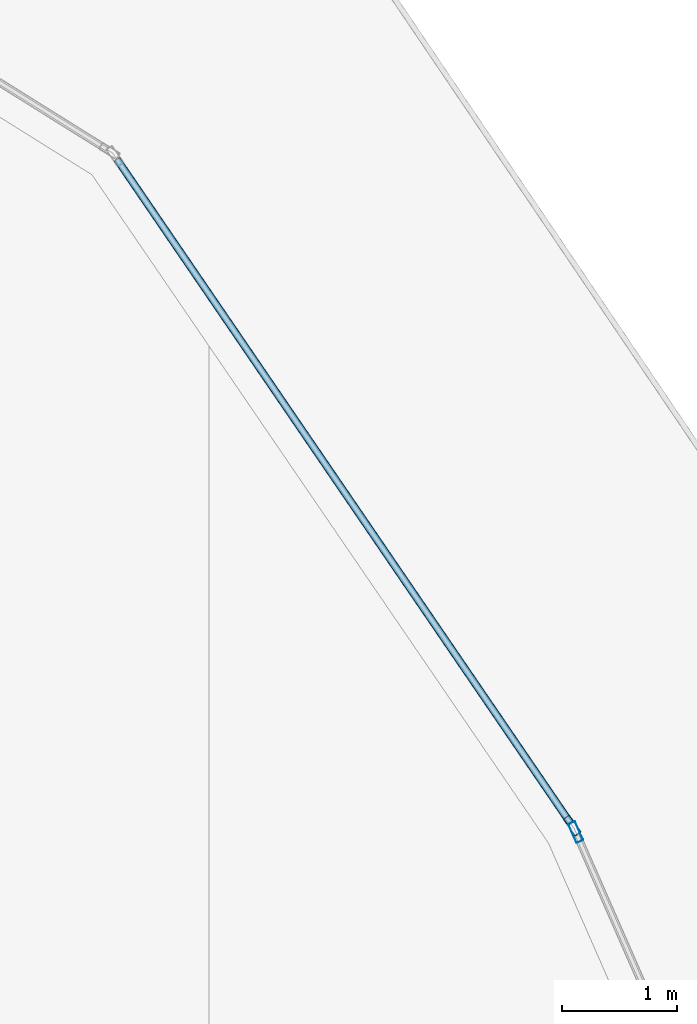
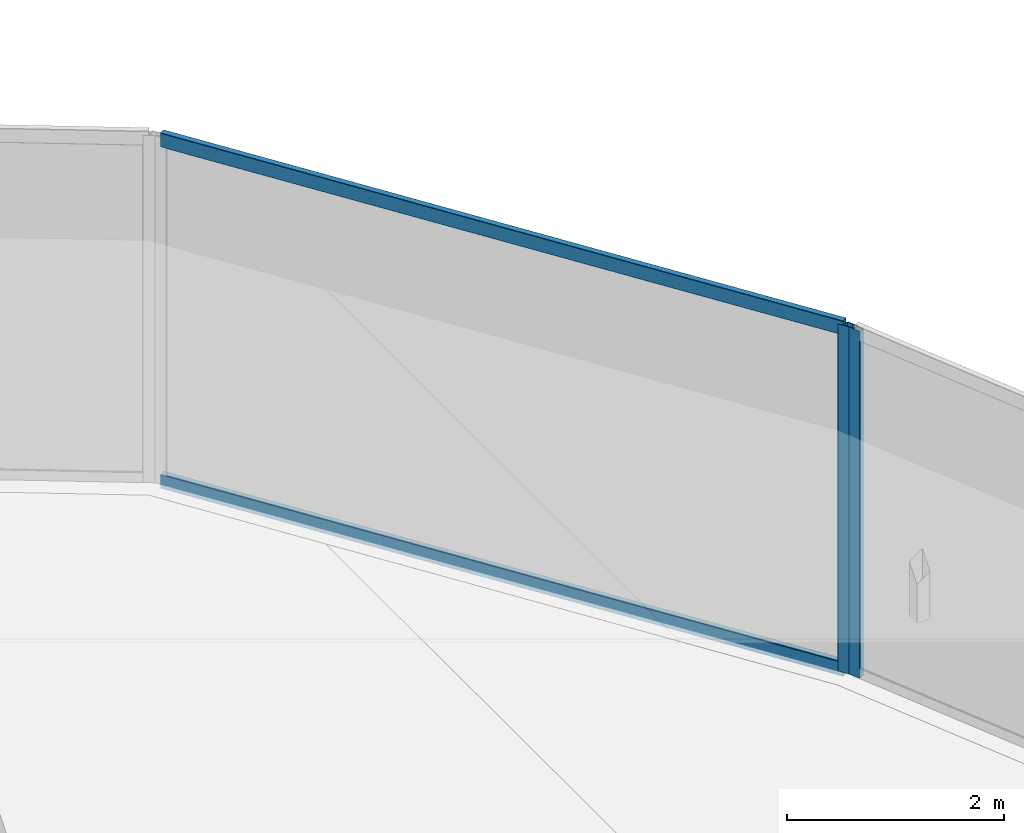
# One storey, part 24 of 45: 4 members, 2 elements without a shape of their own.
"""IFC4 building model written with IfcOpenShell, lengths in metres."""

from ifc_helpers import new_model, si_unit, direction, frame, origin, origin_2d, place, context, subcontext, project, spatial, hollow_rectangle, extrude, material, layer, layer_set, material_profile, profile_set, type_object, element, aggregate, save


model = new_model("IFC4")

# Units and contexts
model_context = context("Model", 3, precision=1e-05, world=origin(), true_north=direction((0.0, 1.0)))
body_context = subcontext(model_context, "Body", "Model", "MODEL_VIEW")
ifc_project = project(units=[si_unit("LENGTHUNIT", "METRE"), si_unit("AREAUNIT", "SQUARE_METRE"), si_unit("VOLUMEUNIT", "CUBIC_METRE"), si_unit("PLANEANGLEUNIT", "RADIAN"), si_unit("MASSUNIT", "GRAM", prefix="KILO")], contexts=[model_context])

# Site, building, storey
site_placement = place(None, origin())
site = spatial("IfcSite", under=ifc_project, at=site_placement, CompositionType="ELEMENT")
building_placement = place(site_placement, origin())
building = spatial("IfcBuilding", under=site, at=building_placement, Name="Qorvath Tower", CompositionType="ELEMENT")
storey_placement = place(building_placement, frame((0.0, 0.0, 95.39990234375)))
storey = spatial("IfcBuildingStorey", under=building, at=storey_placement, Name="L21", CompositionType="ELEMENT", Elevation=95.39990234375)

# Curtain wall, member
ifc_material_1 = material(Name="Anodised aluminium and triple low-E glass", Category="aluminium")
ifc_layer = layer(ifc_material_1, 0.179931640625)
ifc_layer_set = layer_set([ifc_layer], Name="CW-SYS-2")
curtain_wall_type = type_object("IfcCurtainWallType", Name="CW-SYS-2", PredefinedType="NOTDEFINED", material=ifc_layer_set)
curtain_wall_1_placement = place(storey_placement, origin())
curtain_wall_1 = element("IfcCurtainWall", 1, at=curtain_wall_1_placement, inside=storey, type_object=curtain_wall_type, Name="Curtain Wall CW-2 CW-T-L21-12.1", PredefinedType="NOTDEFINED")
ifc_material_2 = material(Name="Anodised aluminium 6063-T6", Category="aluminium")
ifc_material_profile_1 = material_profile(ifc_material_2, hollow_rectangle(XDim=0.06494140625, YDim=0.179931640625, WallThickness=0.00341796875, InnerFilletRadius=0.00341796875, OuterFilletRadius=0.007080078125, at=origin_2d()), Name="CWM 180x65")
ifc_profile_set_1 = profile_set([ifc_material_profile_1], Name="Anodised aluminium 6063-T6")
member_type_1 = type_object("IfcMemberType", Name="CWM-180", PredefinedType="MULLION", material=ifc_profile_set_1)
member_1_placement = place(storey_placement, frame((1.1357421875, 18.48828125, 0.0), z_axis=(0.0, 0.0, 1.0), x_axis=(-0.915869083062, -0.401477051262, 0.0)))
member_1 = element("IfcMember", 2, at=member_1_placement, type_object=member_type_1, Name="CW-2 mullion 2", PredefinedType="MULLION", context=body_context, shape_type="SweptSolid", body=[
    extrude(hollow_rectangle(XDim=0.06494140625, YDim=0.179931640625, WallThickness=0.00341796875, InnerFilletRadius=0.00341796875, OuterFilletRadius=0.007080078125, at=origin_2d()), origin(), (0.0, 0.0, 1.0), 3.900146484375),
])
aggregate(curtain_wall_1, [member_1])

# Curtain wall, members
curtain_wall_2_placement = place(storey_placement, origin())
curtain_wall_2 = element("IfcCurtainWall", 3, at=curtain_wall_2_placement, inside=storey, type_object=curtain_wall_type, Name="Curtain Wall CW-2 CW-T-L21-13.1", PredefinedType="NOTDEFINED")
member_2_placement = place(storey_placement, frame((1.104248046875, 18.544921875, 0.0), z_axis=(0.0, 0.0, 1.0), x_axis=(-0.825732659314, -0.564061676895, 0.0)))
member_2 = element("IfcMember", 4, at=member_2_placement, type_object=member_type_1, Name="CW-2 mullion 1", PredefinedType="MULLION", context=body_context, shape_type="SweptSolid", body=[
    extrude(hollow_rectangle(XDim=0.06494140625, YDim=0.179931640625, WallThickness=0.00341796875, InnerFilletRadius=0.00341796875, OuterFilletRadius=0.007080078125, at=origin_2d()), origin(), (0.0, 0.0, 1.0), 3.900146484375),
])
ifc_material_3 = material(Name="Anodised aluminium 6063-T6", Category="aluminium")
ifc_material_profile_2 = material_profile(ifc_material_3, hollow_rectangle(XDim=0.06494140625, YDim=0.159912109375, WallThickness=0.00341796875, InnerFilletRadius=0.00341796875, OuterFilletRadius=0.007080078125, at=origin_2d()), Name="CWT 160x65")
ifc_profile_set_2 = profile_set([ifc_material_profile_2], Name="Anodised aluminium 6063-T6")
member_type_2 = type_object("IfcMemberType", Name="CWT-160", PredefinedType="USERDEFINED", material=ifc_profile_set_2)
member_3_placement = place(storey_placement, frame((1.0859375, 18.57177734375, 0.032470703125), z_axis=(-0.56406593175, 0.825729752788, 0.0), x_axis=(-0.825729752788, -0.56406593175, 0.0)))
member_3 = element("IfcMember", 5, at=member_3_placement, type_object=member_type_2, Name="CW-2 transom 1.1", ObjectType="TRANSOM", PredefinedType="USERDEFINED", context=body_context, shape_type="SweptSolid", body=[
    extrude(hollow_rectangle(XDim=0.06494140625, YDim=0.159912109375, WallThickness=0.00341796875, InnerFilletRadius=0.00341796875, OuterFilletRadius=0.007080078125, at=origin_2d()), origin(), (0.0, 0.0, 1.0), 6.9697265625),
])
member_4_placement = place(storey_placement, frame((1.0859375, 18.57177734375, 3.86767578125), z_axis=(-0.56406593175, 0.825729752788, 0.0), x_axis=(-0.825729752788, -0.56406593175, 0.0)))
member_4 = element("IfcMember", 6, at=member_4_placement, type_object=member_type_2, Name="CW-2 transom 1.2", ObjectType="TRANSOM", PredefinedType="USERDEFINED", context=body_context, shape_type="SweptSolid", body=[
    extrude(hollow_rectangle(XDim=0.06494140625, YDim=0.159912109375, WallThickness=0.00341796875, InnerFilletRadius=0.00341796875, OuterFilletRadius=0.007080078125, at=origin_2d()), origin(), (0.0, 0.0, 1.0), 6.9697265625),
])
aggregate(curtain_wall_2, [member_2, member_3, member_4])

save(model, "model.ifc")
